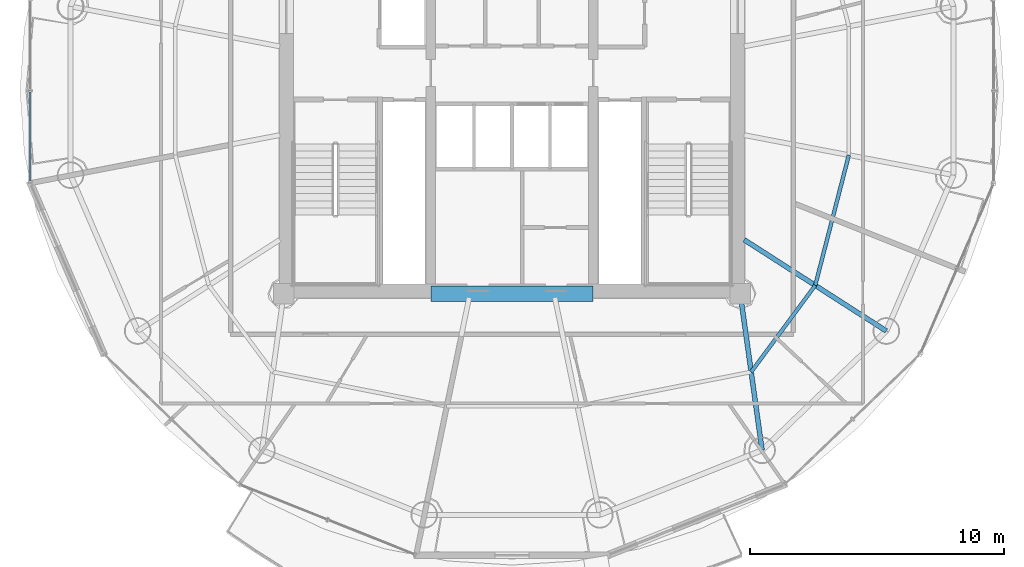
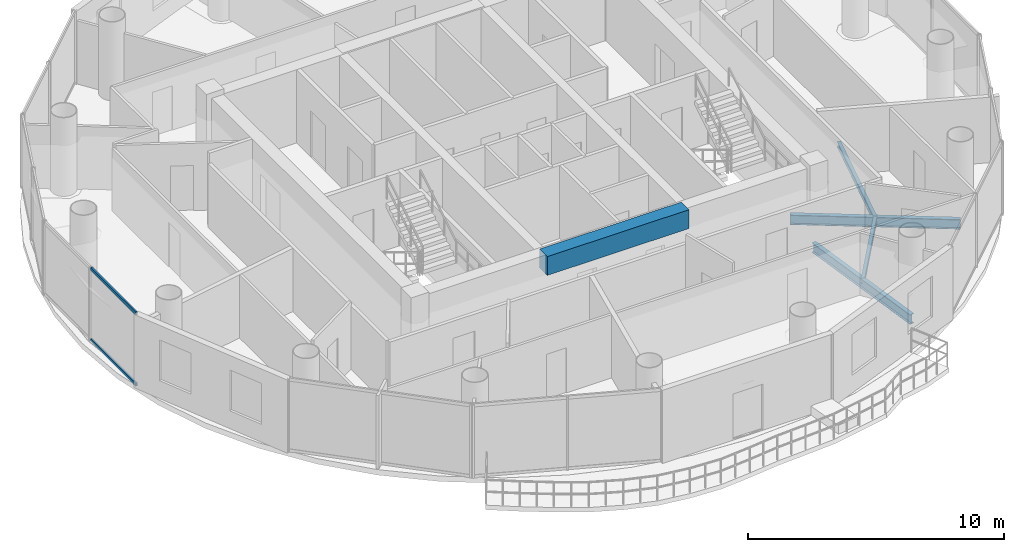
# One storey, part 7 of 23: 5 beams, 2 members, 1 element without a shape of its own.
"""IFC4 building model written with IfcOpenShell, lengths in metres."""

from ifc_helpers import new_model, si_unit, direction, frame, origin, origin_2d, place, context, subcontext, project, spatial, rectangle, hollow_rectangle, i_section, extrude, source, transform, mapped, material, material_profile, profile_set, type_object, element, aggregate, save


model = new_model("IFC4")

# Units and contexts
model_context = context("Model", 3, precision=1e-05, world=origin(), true_north=direction((-0.2419218956, 0.970295726276)))
body_context = subcontext(model_context, "Body", "Model", "MODEL_VIEW")
ifc_project = project(units=[si_unit("LENGTHUNIT", "METRE"), si_unit("AREAUNIT", "SQUARE_METRE"), si_unit("VOLUMEUNIT", "CUBIC_METRE"), si_unit("PLANEANGLEUNIT", "RADIAN"), si_unit("MASSUNIT", "GRAM", prefix="KILO")], contexts=[model_context])

# Site, building, storey
site_placement = place(None, origin())
site = spatial("IfcSite", under=ifc_project, at=site_placement, CompositionType="ELEMENT")
building_placement = place(site_placement, origin())
building = spatial("IfcBuilding", under=site, at=building_placement, Name="Cobrevalo Terracotta Tower", CompositionType="ELEMENT")
storey_placement = place(building_placement, frame((0.0, 0.0, 248.199951171875)))
storey = spatial("IfcBuildingStorey", under=building, at=storey_placement, Name="L65", CompositionType="ELEMENT", Elevation=248.199951171875)

# Beams
ifc_material_1 = material(Name="Concrete C60", Category="concrete")
ifc_material_profile_1 = material_profile(ifc_material_1, rectangle(XDim=0.60009765625, YDim=0.89990234375, at=origin_2d()), Name="RC CB 600x900")
ifc_profile_set_1 = profile_set([ifc_material_profile_1], Name="Concrete C60")
beam_type_1 = type_object("IfcBeamType", Name="Structural Beam RC CB 600x900 (Concrete C60)", PredefinedType="BEAM", material=ifc_profile_set_1)
beam_1_placement = place(storey_placement, frame((34.800048828125, 18.800048828125, 3.0400390625), z_axis=(1.0, 0.0, 0.0), x_axis=(0.0, 1.0, 0.0)))
element("IfcBeam", 1, at=beam_1_placement, inside=storey, type_object=beam_type_1, Name="L65 core coupling beam 1", PredefinedType="BEAM", context=body_context, shape_type="SweptSolid", body=[
    extrude(rectangle(XDim=0.60009765625, YDim=0.89990234375, at=origin_2d()), origin(), (0.0, 0.0, 1.0), 6.39990234375),
])
ifc_material_2 = material(Name="Steel S355", Category="steel")
ifc_material_profile_2 = material_profile(ifc_material_2, i_section(OverallWidth=0.19091796875, OverallDepth=0.4599609375, WebThickness=0.010009765625, FlangeThickness=0.01611328125, at=origin_2d()), Name="W 460x82")
ifc_profile_set_2 = profile_set([ifc_material_profile_2], Name="Steel S355")
beam_type_2 = type_object("IfcBeamType", Name="Structural Beam W 460x82 (Steel S355)", PredefinedType="BEAM", material=ifc_profile_set_2)
beam_2_placement = place(storey_placement, frame((47.861328125, 12.62353515625, -0.489990234375), z_axis=(-0.138115657759, 0.990416107039, 0.0), x_axis=(-0.990416107039, -0.138115657759, 0.0)))
element("IfcBeam", 2, at=beam_2_placement, inside=storey, type_object=beam_type_2, Name="L65 radial floor girder 14", PredefinedType="BEAM", context=body_context, shape_type="SweptSolid", body=[
    extrude(i_section(OverallWidth=0.19091796875, OverallDepth=0.4599609375, WebThickness=0.010009765625, FlangeThickness=0.01611328125, at=origin_2d()), origin(), (0.0, 0.0, 1.0), 6.236328125),
])
beam_3_placement = place(storey_placement, frame((52.758544921875, 17.32763671875, -0.489990234375), z_axis=(-0.84157615512, 0.540138477739, 0.0), x_axis=(-0.540138477739, -0.84157615512, 0.0)))
element("IfcBeam", 3, at=beam_3_placement, inside=storey, type_object=beam_type_2, Name="L65 radial floor girder 15", PredefinedType="BEAM", context=body_context, shape_type="SweptSolid", body=[
    extrude(i_section(OverallWidth=0.19091796875, OverallDepth=0.4599609375, WebThickness=0.010009765625, FlangeThickness=0.01611328125, at=origin_2d()), origin(), (0.0, 0.0, 1.0), 6.658447265625),
])
ifc_material_profile_3 = material_profile(ifc_material_2, i_section(OverallWidth=0.14794921875, OverallDepth=0.26611328125, WebThickness=0.007568359375, FlangeThickness=0.012939453125, at=origin_2d()), Name="W 250x44.8")
ifc_profile_set_3 = profile_set([ifc_material_profile_3], Name="Steel S355")
beam_type_3 = type_object("IfcBeamType", Name="Structural Joist W 250x44.8 (Steel S355)", PredefinedType="JOIST", material=ifc_profile_set_3)
beam_4_placement = place(storey_placement, frame((47.4306640625, 15.711669921875, -0.39306640625), z_axis=(0.594799916617, 0.803873783123, 0.0), x_axis=(-0.803873783123, 0.594799916617, 0.0)))
element("IfcBeam", 4, at=beam_4_placement, inside=storey, type_object=beam_type_3, Name="L65 circumferential secondary floor joist 14", PredefinedType="JOIST", context=body_context, shape_type="SweptSolid", body=[
    extrude(i_section(OverallWidth=0.14794921875, OverallDepth=0.26611328125, WebThickness=0.007568359375, FlangeThickness=0.012939453125, at=origin_2d()), origin(), (0.0, 0.0, 1.0), 4.2470703125),
])
beam_5_placement = place(storey_placement, frame((49.956787109375, 19.125732421875, -0.39306640625), z_axis=(0.249816773293, 0.968293126993, 0.0), x_axis=(-0.968293126993, 0.249816773293, 0.0)))
element("IfcBeam", 5, at=beam_5_placement, inside=storey, type_object=beam_type_3, Name="L65 circumferential secondary floor joist 15", PredefinedType="JOIST", context=body_context, shape_type="SweptSolid", body=[
    extrude(i_section(OverallWidth=0.14794921875, OverallDepth=0.26611328125, WebThickness=0.007568359375, FlangeThickness=0.012939453125, at=origin_2d()), origin(), (0.0, 0.0, 1.0), 5.3046875),
])

# Curtain wall, members
ifc_material_3 = material(Name="Anodized aluminium", Category="aluminium")
curtain_wall_type = type_object("IfcCurtainWallType", Name="Upper-tower triple-glazed penthouse curtain wall CW-U3", PredefinedType="NOTDEFINED", material=ifc_material_3)
curtain_wall_placement = place(storey_placement, origin())
curtain_wall = element("IfcCurtainWall", 6, at=curtain_wall_placement, inside=storey, type_object=curtain_wall_type, Name="L65 curtain wall CW-L65-S08", PredefinedType="NOTDEFINED")
ifc_material_profile_4 = material_profile(ifc_material_3, hollow_rectangle(XDim=0.074951171875, YDim=0.14990234375, WallThickness=0.00439453125, at=origin_2d()), Name="CWT 75x150")
ifc_profile_set_4 = profile_set([ifc_material_profile_4], Name="Anodized aluminium")
member_type = type_object("IfcMemberType", Name="Tower unitised aluminium transom 75x150", PredefinedType="USERDEFINED", material=ifc_profile_set_4)
shared_shape = source(origin(), body_context, "Body", "SweptSolid", [
    extrude(hollow_rectangle(XDim=0.074951171875, YDim=0.14990234375, WallThickness=0.00439453125, at=origin_2d()), origin(), (0.0, 0.0, 1.0), 3.5224609375),
])
member_1_placement = place(storey_placement, frame((19.002197265625, 26.760009765625, 0.050048828125), z_axis=(0.0, -1.0, 0.0), x_axis=(1.0, 0.0, 0.0)))
member_1 = element("IfcMember", 7, at=member_1_placement, type_object=member_type, Name="CW-L65-S08 transom B02-T1", ObjectType="TRANSOM", PredefinedType="USERDEFINED", context=body_context, shape_type="MappedRepresentation", body=[
    mapped(shared_shape, transform((0.0, 0.0, 0.0), scale=1.0)),
])
member_2_placement = place(storey_placement, frame((19.002197265625, 26.760009765625, 3.43994140625), z_axis=(0.0, -1.0, 0.0), x_axis=(1.0, 0.0, 0.0)))
member_2 = element("IfcMember", 8, at=member_2_placement, type_object=member_type, Name="CW-L65-S08 transom B02-T2", ObjectType="TRANSOM", PredefinedType="USERDEFINED", context=body_context, shape_type="MappedRepresentation", body=[
    mapped(shared_shape, transform((0.0, 0.0, 0.0), scale=1.0)),
])
aggregate(curtain_wall, [member_1, member_2])

save(model, "model.ifc")
